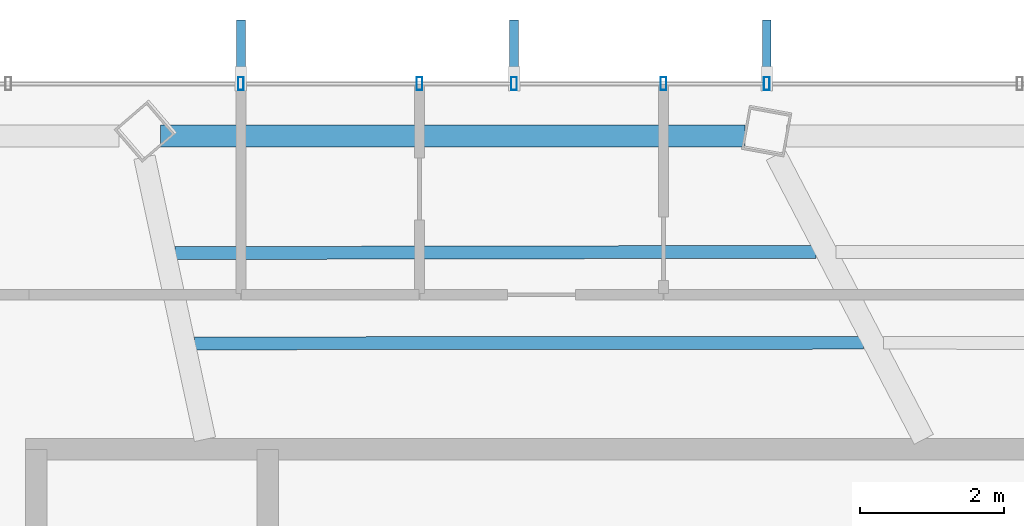
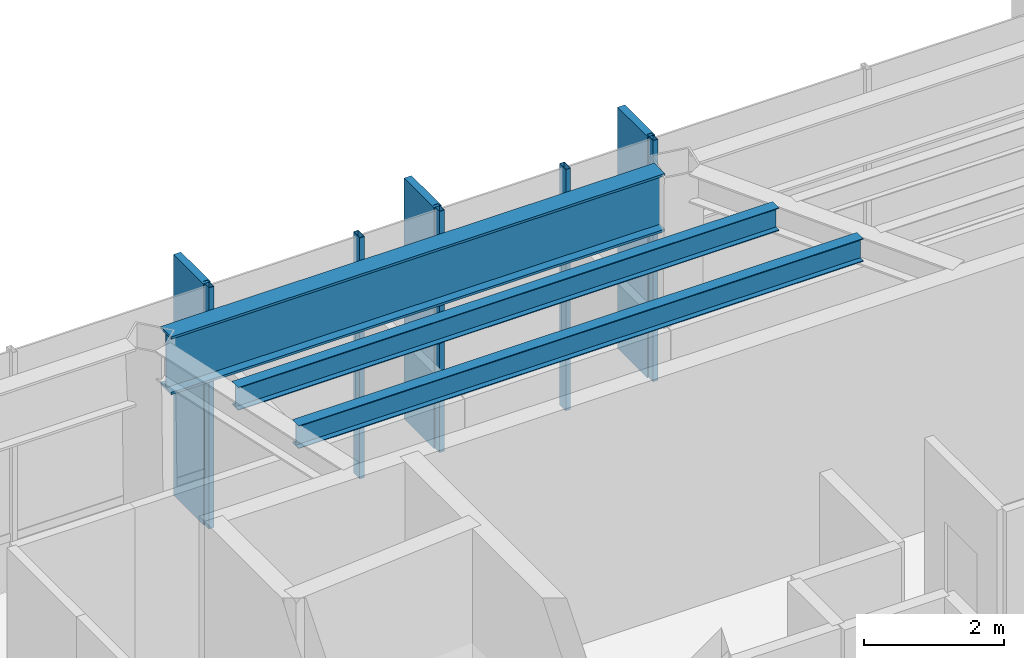
# One storey, part 9 of 22: 8 members, 3 beams, 1 element without a shape of its own.
"""IFC4 building model written with IfcOpenShell, lengths in metres."""

from ifc_helpers import new_model, si_unit, direction, frame, origin, origin_2d, place, context, subcontext, project, spatial, rectangle, hollow_rectangle, i_section, extrude, material, layer, layer_set, material_profile, profile_set, type_object, element, aggregate, save


model = new_model("IFC4")

# Units and contexts
model_context = context("Model", 3, precision=1e-05, world=origin(), true_north=direction((0.0, 1.0)))
body_context = subcontext(model_context, "Body", "Model", "MODEL_VIEW")
ifc_project = project(units=[si_unit("LENGTHUNIT", "METRE"), si_unit("AREAUNIT", "SQUARE_METRE"), si_unit("VOLUMEUNIT", "CUBIC_METRE"), si_unit("PLANEANGLEUNIT", "RADIAN"), si_unit("MASSUNIT", "GRAM", prefix="KILO")], contexts=[model_context])

# Site, building, storey
site_placement = place(None, origin())
site = spatial("IfcSite", under=ifc_project, at=site_placement, CompositionType="ELEMENT")
building_placement = place(site_placement, origin())
building = spatial("IfcBuilding", under=site, at=building_placement, Name="Zarrinselat Tower", CompositionType="ELEMENT")
storey_placement = place(building_placement, frame((0.0, 0.0, 204.340087890625)))
storey = spatial("IfcBuildingStorey", under=building, at=storey_placement, Name="L50", CompositionType="ELEMENT", Elevation=204.340087890625)

# Beams
ifc_material_1 = material(Name="Steel S460M", Category="steel")
ifc_material_profile_1 = material_profile(ifc_material_1, i_section(OverallWidth=0.302001953125, OverallDepth=1.008056640625, WebThickness=0.02099609375, FlangeThickness=0.0400390625, at=origin_2d()), Name="HEM 1000")
ifc_profile_set_1 = profile_set([ifc_material_profile_1], Name="Steel S460M")
beam_type_1 = type_object("IfcBeamType", Name="BM-HEM1000", PredefinedType="BEAM", material=ifc_profile_set_1)
beam_1_placement = place(storey_placement, frame((30.3818359375, 47.760986328125, 3.69580078125), z_axis=(1.0, 0.0, 0.0), x_axis=(0.0, 1.0, 0.0)))
element("IfcBeam", 1, at=beam_1_placement, inside=storey, type_object=beam_type_1, Name="L50 Perimeter Spandrel Girder SP03", PredefinedType="BEAM", context=body_context, shape_type="SweptSolid", body=[
    extrude(i_section(OverallWidth=0.302001953125, OverallDepth=1.008056640625, WebThickness=0.02099609375, FlangeThickness=0.0400390625, at=origin_2d()), origin(), (0.0, 0.0, 1.0), 8.132080078125),
])
ifc_material_2 = material(Name="Steel S355J2", Category="steel")
ifc_material_profile_2 = material_profile(ifc_material_2, i_section(OverallWidth=0.179931640625, OverallDepth=0.39990234375, WebThickness=0.008544921875, FlangeThickness=0.013427734375, at=origin_2d()), Name="IPE 400")
ifc_profile_set_2 = profile_set([ifc_material_profile_2], Name="Steel S355J2")
beam_type_2 = type_object("IfcBeamType", Name="BM-IPE400", PredefinedType="JOIST", material=ifc_profile_set_2)
beam_2_placement = place(storey_placement, frame((30.583740234375, 46.13134765625, 4.0), z_axis=(0.999998110889, 0.001943763952, 0.0), x_axis=(-0.001943763952, 0.999998110889, 0.0)))
element("IfcBeam", 2, at=beam_2_placement, inside=storey, type_object=beam_type_2, Name="L50 Composite Floor Joist 8-1", PredefinedType="JOIST", context=body_context, shape_type="SweptSolid", body=[
    extrude(i_section(OverallWidth=0.179931640625, OverallDepth=0.39990234375, WebThickness=0.008544921875, FlangeThickness=0.013427734375, at=origin_2d()), origin(), (0.0, 0.0, 1.0), 8.917724609375),
])
beam_3_placement = place(storey_placement, frame((30.853515625, 44.875, 4.0), z_axis=(0.99999952895, 0.00097061864, 0.0), x_axis=(-0.00097061864, 0.99999952895, 0.0)))
element("IfcBeam", 3, at=beam_3_placement, inside=storey, type_object=beam_type_2, Name="L50 Composite Floor Joist 8-2", PredefinedType="JOIST", context=body_context, shape_type="SweptSolid", body=[
    extrude(i_section(OverallWidth=0.179931640625, OverallDepth=0.39990234375, WebThickness=0.008544921875, FlangeThickness=0.013427734375, at=origin_2d()), origin(), (0.0, 0.0, 1.0), 9.306640625),
])

# Curtain wall, members
ifc_material_3 = material(Name="Extruded Aluminium Alloy EN AW-6063 T6", Category="aluminium")
ifc_layer = layer(ifc_material_3, 0.195068359375)
ifc_layer_set = layer_set([ifc_layer], Name="Extruded Aluminium Alloy EN AW-6063 T6")
curtain_wall_type = type_object("IfcCurtainWallType", Name="CWS-GDN", PredefinedType="NOTDEFINED", material=ifc_layer_set)
curtain_wall_placement = place(storey_placement, origin())
curtain_wall = element("IfcCurtainWall", 4, at=curtain_wall_placement, inside=storey, type_object=curtain_wall_type, Name="L50 Unitised Curtain Wall CW-L50-E02", PredefinedType="NOTDEFINED")
ifc_material_4 = material(Name="Extruded Aluminium Alloy EN AW-6063 T6", Category="aluminium")
ifc_material_profile_3 = material_profile(ifc_material_4, hollow_rectangle(XDim=0.080078125, YDim=0.179931640625, WallThickness=0.0048828125, at=origin_2d()), Name="RHS 180x80x5")
ifc_profile_set_3 = profile_set([ifc_material_profile_3], Name="Extruded Aluminium Alloy EN AW-6063 T6")
member_type_1 = type_object("IfcMemberType", Name="MEM-CW-MUL", PredefinedType="MULLION", material=ifc_profile_set_3)
member_1_placement = place(storey_placement, frame((31.5, 48.489013671875, 0.0), z_axis=(0.0, 0.0, 1.0), x_axis=(1.0, 0.0, 0.0)))
member_1 = element("IfcMember", 5, at=member_1_placement, type_object=member_type_1, Name="CW-L50-E02 Mullion 3", PredefinedType="MULLION", context=body_context, shape_type="SweptSolid", body=[
    extrude(hollow_rectangle(XDim=0.080078125, YDim=0.179931640625, WallThickness=0.0048828125, at=origin_2d()), origin(), (0.0, 0.0, 1.0), 4.199951171875),
])
member_2_placement = place(storey_placement, frame((33.98388671875, 48.489013671875, 0.0), z_axis=(0.0, 0.0, 1.0), x_axis=(1.0, 0.0, 0.0)))
member_2 = element("IfcMember", 6, at=member_2_placement, type_object=member_type_1, Name="CW-L50-E02 Mullion 4", PredefinedType="MULLION", context=body_context, shape_type="SweptSolid", body=[
    extrude(hollow_rectangle(XDim=0.080078125, YDim=0.179931640625, WallThickness=0.0048828125, at=origin_2d()), origin(), (0.0, 0.0, 1.0), 4.199951171875),
])
member_3_placement = place(storey_placement, frame((35.299072265625, 48.489013671875, 0.0), z_axis=(0.0, 0.0, 1.0), x_axis=(1.0, 0.0, 0.0)))
member_3 = element("IfcMember", 7, at=member_3_placement, type_object=member_type_1, Name="CW-L50-E02 Mullion 5", PredefinedType="MULLION", context=body_context, shape_type="SweptSolid", body=[
    extrude(hollow_rectangle(XDim=0.080078125, YDim=0.179931640625, WallThickness=0.0048828125, at=origin_2d()), origin(), (0.0, 0.0, 1.0), 4.199951171875),
])
member_4_placement = place(storey_placement, frame((37.37890625, 48.489013671875, 0.0), z_axis=(0.0, 0.0, 1.0), x_axis=(1.0, 0.0, 0.0)))
member_4 = element("IfcMember", 8, at=member_4_placement, type_object=member_type_1, Name="CW-L50-E02 Mullion 6", PredefinedType="MULLION", context=body_context, shape_type="SweptSolid", body=[
    extrude(hollow_rectangle(XDim=0.080078125, YDim=0.179931640625, WallThickness=0.0048828125, at=origin_2d()), origin(), (0.0, 0.0, 1.0), 4.199951171875),
])
member_5_placement = place(storey_placement, frame((38.816162109375, 48.489013671875, 0.0), z_axis=(0.0, 0.0, 1.0), x_axis=(1.0, 0.0, 0.0)))
member_5 = element("IfcMember", 9, at=member_5_placement, type_object=member_type_1, Name="CW-L50-E02 Mullion 7", PredefinedType="MULLION", context=body_context, shape_type="SweptSolid", body=[
    extrude(hollow_rectangle(XDim=0.080078125, YDim=0.179931640625, WallThickness=0.0048828125, at=origin_2d()), origin(), (0.0, 0.0, 1.0), 4.199951171875),
])
ifc_material_5 = material(Name="Honed Cream Travertine Stone", Category="masonry")
ifc_material_profile_4 = material_profile(ifc_material_5, rectangle(XDim=0.1201171875, YDim=0.85009765625, at=origin_2d()), Name="FIN 850x120")
ifc_profile_set_4 = profile_set([ifc_material_profile_4], Name="Honed Cream Travertine Stone")
member_type_2 = type_object("IfcMemberType", Name="MEM-STONE-FIN", PredefinedType="USERDEFINED", material=ifc_profile_set_4)
member_6_placement = place(storey_placement, frame((31.5, 48.948974609375, 0.0), z_axis=(0.0, 0.0, 1.0), x_axis=(1.0, 0.0, 0.0)))
member_6 = element("IfcMember", 10, at=member_6_placement, type_object=member_type_2, Name="L50 Stone Shading Fin CW-L50-E02-03", ObjectType="FIN", PredefinedType="USERDEFINED", context=body_context, shape_type="SweptSolid", body=[
    extrude(rectangle(XDim=0.1201171875, YDim=0.85009765625, at=origin_2d()), origin(), (0.0, 0.0, 1.0), 4.199951171875),
])
member_7_placement = place(storey_placement, frame((35.299072265625, 48.948974609375, 0.0), z_axis=(0.0, 0.0, 1.0), x_axis=(1.0, 0.0, 0.0)))
member_7 = element("IfcMember", 11, at=member_7_placement, type_object=member_type_2, Name="L50 Stone Shading Fin CW-L50-E02-05", ObjectType="FIN", PredefinedType="USERDEFINED", context=body_context, shape_type="SweptSolid", body=[
    extrude(rectangle(XDim=0.1201171875, YDim=0.85009765625, at=origin_2d()), origin(), (0.0, 0.0, 1.0), 4.199951171875),
])
member_8_placement = place(storey_placement, frame((38.816162109375, 48.948974609375, 0.0), z_axis=(0.0, 0.0, 1.0), x_axis=(1.0, 0.0, 0.0)))
member_8 = element("IfcMember", 12, at=member_8_placement, type_object=member_type_2, Name="L50 Stone Shading Fin CW-L50-E02-07", ObjectType="FIN", PredefinedType="USERDEFINED", context=body_context, shape_type="SweptSolid", body=[
    extrude(rectangle(XDim=0.1201171875, YDim=0.85009765625, at=origin_2d()), origin(), (0.0, 0.0, 1.0), 4.199951171875),
])
aggregate(curtain_wall, [member_1, member_6, member_2, member_3, member_7, member_4, member_5, member_8])

save(model, "model.ifc")
